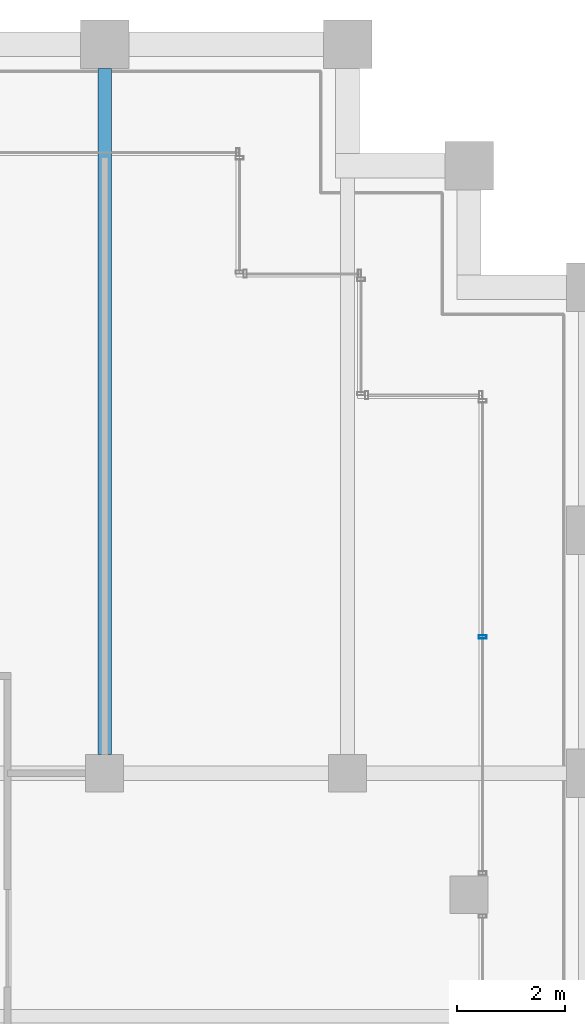
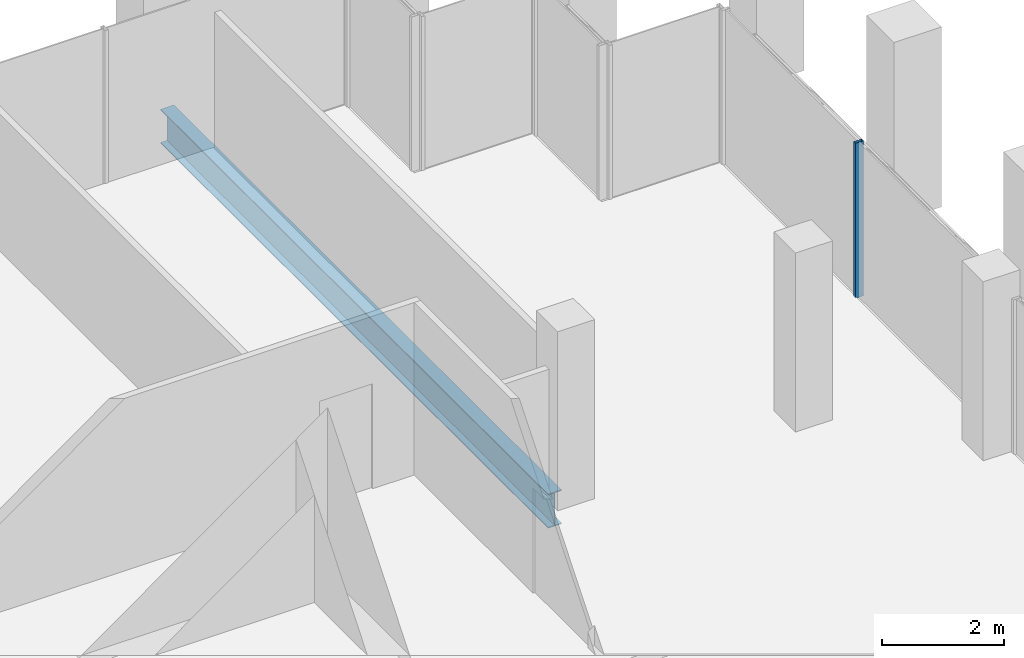
# One storey, part 24 of 40: 1 beam, 1 member, 1 element without a shape of its own.
"""IFC4 building model written with IfcOpenShell, lengths in metres."""

import ifcopenshell
import ifcopenshell.guid

model = None  # the IFC model being written
_history = None  # IfcOwnerHistory: only IFC2X3 demands one
_inside = {}  # id of a spatial element -> (the spatial element, [elements in it])
_under = {}  # id of a project, library or spatial element -> (it, [spatial elements below it])
_declared = {}  # id of a project -> (the project, [libraries it declares])
_typed = {}  # id of a type object -> (the type object, [elements of that type])
_made_of = {}  # id of a material, layer set ... -> (it, [elements and type objects made of it])


def new_model(schema):
    """Start an empty IFC model of exactly this schema.

    Asked for "IFC4X3", IfcOpenShell would pick the latest addendum, in which some entities
    have other attributes; the version numbers below select the first issue.
    IFC2X3 requires an IfcOwnerHistory on every rooted entity: one is made here for all.
    """
    global model, _history
    if schema == "IFC4X3":
        model = ifcopenshell.file(schema_version=(4, 3, 0, 0))
    else:
        model = ifcopenshell.file(schema=schema)
    _inside.clear()
    _under.clear()
    _declared.clear()
    _typed.clear()
    _made_of.clear()
    _history = None
    if model.schema == "IFC2X3":
        org = make("IfcOrganization", Name="unknown")
        user = make(
            "IfcPersonAndOrganization",
            ThePerson=make("IfcPerson", FamilyName="unknown"),
            TheOrganization=org,
        )
        app = make(
            "IfcApplication",
            ApplicationDeveloper=org,
            Version="unknown",
            ApplicationFullName="unknown",
            ApplicationIdentifier="unknown",
        )
        _history = make(
            "IfcOwnerHistory",
            OwningUser=user,
            OwningApplication=app,
            ChangeAction="ADDED",
            CreationDate=0,
        )
    return model


def make(cls, **values):
    """One entity of the class cls with the attributes given. An attribute that is None is left unset."""
    return model.create_entity(
        cls, **{name: value for name, value in values.items() if value is not None}
    )


def rooted(cls, **values):
    """An entity with a GlobalId (a new one), such as an element, a storey or a relation."""
    return make(cls, GlobalId=ifcopenshell.guid.new(), OwnerHistory=_history, **values)


def si_unit(unit_type, name, prefix=None):
    """IfcSIUnit, for example si_unit("LENGTHUNIT", "METRE", prefix="MILLI")."""
    return make("IfcSIUnit", UnitType=unit_type, Prefix=prefix, Name=name)


def assignment(units):
    """IfcUnitAssignment: the units of a project."""
    return None if units is None else make("IfcUnitAssignment", Units=units)


def point(xyz):
    """IfcCartesianPoint."""
    return None if xyz is None else make("IfcCartesianPoint", Coordinates=xyz)


def direction(xyz):
    """IfcDirection."""
    return None if xyz is None else make("IfcDirection", DirectionRatios=xyz)


def frame(location, z_axis=None, x_axis=None):
    """IfcAxis2Placement3D, a coordinate frame: its origin and axes. An axis left out is left unset."""
    return make(
        "IfcAxis2Placement3D",
        Location=point(location),
        Axis=direction(z_axis),
        RefDirection=direction(x_axis),
    )


def frame_2d(location, x_axis=None):
    """IfcAxis2Placement2D, a coordinate frame in the plane: its origin and x axis."""
    return make(
        "IfcAxis2Placement2D", Location=point(location), RefDirection=direction(x_axis)
    )


def origin():
    """The frame at (0, 0, 0) with its axes left unset."""
    return frame((0.0, 0.0, 0.0))


def origin_2d():
    """The frame at (0, 0) in the plane with its x axis left unset."""
    return frame_2d((0.0, 0.0))


def place(relative_to, where):
    """IfcLocalPlacement: puts the frame where relative to a parent placement (None: the world)."""
    return make(
        "IfcLocalPlacement", PlacementRelTo=relative_to, RelativePlacement=where
    )


def context(
    kind, dimensions, precision=None, world=None, true_north=None, identifier=None
):
    """IfcGeometricRepresentationContext, for example the 3D "Model" context."""
    return make(
        "IfcGeometricRepresentationContext",
        ContextIdentifier=identifier,
        ContextType=kind,
        CoordinateSpaceDimension=dimensions,
        Precision=precision,
        WorldCoordinateSystem=world,
        TrueNorth=true_north,
    )


def subcontext(parent, identifier, kind, view, scale=None):
    """IfcGeometricRepresentationSubContext, for example "Body" below "Model"."""
    return make(
        "IfcGeometricRepresentationSubContext",
        ContextIdentifier=identifier,
        ContextType=kind,
        ParentContext=parent,
        TargetScale=scale,
        TargetView=view,
    )


def project(units=None, contexts=None):
    """IfcProject with its units and contexts."""
    return rooted(
        "IfcProject",
        Name="project",
        RepresentationContexts=contexts,
        UnitsInContext=assignment(units),
    )


def spatial(cls, under=None, at=None, **own):
    """A site, building, storey or space (cls), placed at a placement, below another one or the project."""
    s = rooted(cls, ObjectPlacement=at, **own)
    if under is not None:
        _under.setdefault(under.id(), (under, []))[1].append(s)
    return s


def profile(cls, at=None, kind="AREA", **sizes):
    """A parametric profile (cls). Its sizes go by their IFC names, for example OverallWidth=200.0."""
    return make(cls, ProfileType=kind, Position=at, **sizes)


def hollow_rectangle(**sizes):
    """IfcRectangleHollowProfileDef."""
    return profile("IfcRectangleHollowProfileDef", **sizes)


def i_section(**sizes):
    """IfcIShapeProfileDef."""
    return profile("IfcIShapeProfileDef", **sizes)


def extrude(swept, where, along, depth):
    """IfcExtrudedAreaSolid: the profile swept, set in the frame where, extruded along a direction by depth."""
    return make(
        "IfcExtrudedAreaSolid",
        SweptArea=swept,
        Position=where,
        ExtrudedDirection=direction(along),
        Depth=depth,
    )


def shape(context_of_items, identifier, shape_type, items):
    """IfcShapeRepresentation: the items that make up one representation, for example the "Body"."""
    return make(
        "IfcShapeRepresentation",
        ContextOfItems=context_of_items,
        RepresentationIdentifier=identifier,
        RepresentationType=shape_type,
        Items=items,
    )


def material(Name=None, Category=None):
    """IfcMaterial."""
    return make("IfcMaterial", Name=Name, Category=Category)


def material_profile(
    of_material, cross_section, Name=None, Category=None, Priority=None
):
    """IfcMaterialProfile: a cross section and its material."""
    return make(
        "IfcMaterialProfile",
        Name=Name,
        Material=of_material,
        Profile=cross_section,
        Priority=Priority,
        Category=Category,
    )


def profile_set(profiles, Name=None, composite=None):
    """IfcMaterialProfileSet."""
    return make(
        "IfcMaterialProfileSet",
        Name=Name,
        MaterialProfiles=profiles,
        CompositeProfile=composite,
    )


def made_of(thing, what):
    """Note that an element or type object is made of a material, layer set ...; save() writes the relation."""
    if what is not None:
        _made_of.setdefault(what.id(), (what, []))[1].append(thing)
    return thing


def type_object(cls, material=None, **own):
    """A type object (cls), such as IfcWallType, which elements share."""
    return made_of(rooted(cls, **own), material)


def element(
    cls,
    number,
    at=None,
    inside=None,
    cuts=None,
    type_object=None,
    material=None,
    context=None,
    identifier="Body",
    shape_type=None,
    held_by="IfcProductDefinitionShape",
    body=None,
    shapes=None,
    **own,
):
    """One element of the class cls, such as IfcWall. Its Tag is "e" and its number.

    at: its placement. inside: the storey or other place that contains it. cuts: it is an
    opening in that element (IfcRelVoidsElement). A single representation is given by context,
    identifier, shape_type and body (its items); several are given by shapes. held_by: the class
    of the entity that holds the representations. save() writes the other relations.
    """
    e = rooted(cls, Tag="e%d" % number, ObjectPlacement=at, **own)
    if body is not None:
        shapes = [shape(context, identifier, shape_type, body)]
    if shapes is not None:
        e.Representation = make(held_by, Representations=shapes)
    if inside is not None:
        _inside.setdefault(inside.id(), (inside, []))[1].append(e)
    if cuts is not None:
        rooted(
            "IfcRelVoidsElement", RelatingBuildingElement=cuts, RelatedOpeningElement=e
        )
    if type_object is not None:
        _typed.setdefault(type_object.id(), (type_object, []))[1].append(e)
    return made_of(e, material)


def aggregate(whole, parts):
    """IfcRelAggregates: a whole, such as a stair, and the parts it consists of."""
    return rooted("IfcRelAggregates", RelatingObject=whole, RelatedObjects=parts)


def save(model, path):
    """Write the relations noted so far, then the file.

    IfcRelAggregates (storeys below a building ...), IfcRelContainedInSpatialStructure (elements
    in a storey), IfcRelDefinesByType, IfcRelAssociatesMaterial and IfcRelDeclares: one each for
    every whole, place, type object, material and project.
    """
    for whole, parts in _under.values():
        aggregate(whole, parts)
    for where, things in _inside.values():
        rooted(
            "IfcRelContainedInSpatialStructure",
            RelatedElements=things,
            RelatingStructure=where,
        )
    for kind, things in _typed.values():
        rooted("IfcRelDefinesByType", RelatedObjects=things, RelatingType=kind)
    for what, things in _made_of.values():
        rooted("IfcRelAssociatesMaterial", RelatedObjects=things, RelatingMaterial=what)
    for by, libraries in _declared.values():
        rooted("IfcRelDeclares", RelatingContext=by, RelatedDefinitions=libraries)
    model.write(path)


model = new_model("IFC4")

# Units and contexts
model_context = context("Model", 3, precision=1e-05, world=origin(), true_north=direction((0.0, 1.0)))
body_context = subcontext(model_context, "Body", "Model", "MODEL_VIEW")
ifc_project = project(units=[si_unit("LENGTHUNIT", "METRE"), si_unit("AREAUNIT", "SQUARE_METRE"), si_unit("VOLUMEUNIT", "CUBIC_METRE"), si_unit("PLANEANGLEUNIT", "RADIAN"), si_unit("MASSUNIT", "GRAM", prefix="KILO")], contexts=[model_context])

# Site, building, storey
site_placement = place(None, origin())
site = spatial("IfcSite", under=ifc_project, at=site_placement, CompositionType="ELEMENT")
building_placement = place(site_placement, origin())
building = spatial("IfcBuilding", under=site, at=building_placement, Name="Altepetl Exchange Towers", CompositionType="ELEMENT")
storey_placement = place(building_placement, frame((0.0, 0.0, 183.39990234375)))
storey = spatial("IfcBuildingStorey", under=building, at=storey_placement, Name="L46", CompositionType="ELEMENT", Elevation=183.39990234375)

# Beam
ifc_material_1 = material(Name="Steel S355", Category="steel")
ifc_material_profile_1 = material_profile(ifc_material_1, i_section(OverallWidth=0.25390625, OverallDepth=0.68408203125, WebThickness=0.012451171875, FlangeThickness=0.018798828125, at=origin_2d()), Name="W27X94")
ifc_profile_set_1 = profile_set([ifc_material_profile_1], Name="Steel S355")
beam_type = type_object("IfcBeamType", Name="Floor beam W27X94", PredefinedType="BEAM", material=ifc_profile_set_1)
beam_placement = place(storey_placement, frame((63.0, 58.85009765625, -0.491943359375), z_axis=(0.0, 1.0, 0.0), x_axis=(-1.0, 0.0, 0.0)))
element("IfcBeam", 1, at=beam_placement, inside=storey, type_object=beam_type, Name="bm:A:L46:004", PredefinedType="BEAM", context=body_context, shape_type="SweptSolid", body=[
    extrude(i_section(OverallWidth=0.25390625, OverallDepth=0.68408203125, WebThickness=0.012451171875, FlangeThickness=0.018798828125, at=origin_2d()), origin(), (0.0, 0.0, 1.0), 12.699951171875),
])

# Curtain wall, member
ifc_material_2 = material(Name="Aluminium 6063-T6 glazing", Category="aluminium")
curtain_wall_type = type_object("IfcCurtainWallType", Name="Loggia glazing system", PredefinedType="NOTDEFINED", material=ifc_material_2)
curtain_wall_placement = place(storey_placement, origin())
curtain_wall = element("IfcCurtainWall", 2, at=curtain_wall_placement, inside=storey, type_object=curtain_wall_type, Name="CW1 run", PredefinedType="NOTDEFINED")
ifc_material_3 = material(Name="Aluminium 6063-T6", Category="aluminium")
ifc_material_profile_2 = material_profile(ifc_material_3, hollow_rectangle(XDim=0.06005859375, YDim=0.14990234375, WallThickness=0.0029296875, at=origin_2d()), Name="Mullion 60x150 aluminium")
ifc_profile_set_2 = profile_set([ifc_material_profile_2], Name="Aluminium 6063-T6")
member_type = type_object("IfcMemberType", Name="Mullion 60x150 aluminium", PredefinedType="MULLION", material=ifc_profile_set_2)
member_placement = place(storey_placement, frame((70.0, 61.0224609375, 0.0), z_axis=(0.0, 0.0, 1.0), x_axis=(0.0, 1.0, 0.0)))
member = element("IfcMember", 3, at=member_placement, type_object=member_type, Name="MU1 mullion", PredefinedType="MULLION", context=body_context, shape_type="SweptSolid", body=[
    extrude(hollow_rectangle(XDim=0.06005859375, YDim=0.14990234375, WallThickness=0.0029296875, at=origin_2d()), origin(), (0.0, 0.0, 1.0), 3.10009765625),
])
aggregate(curtain_wall, [member])

save(model, "model.ifc")
